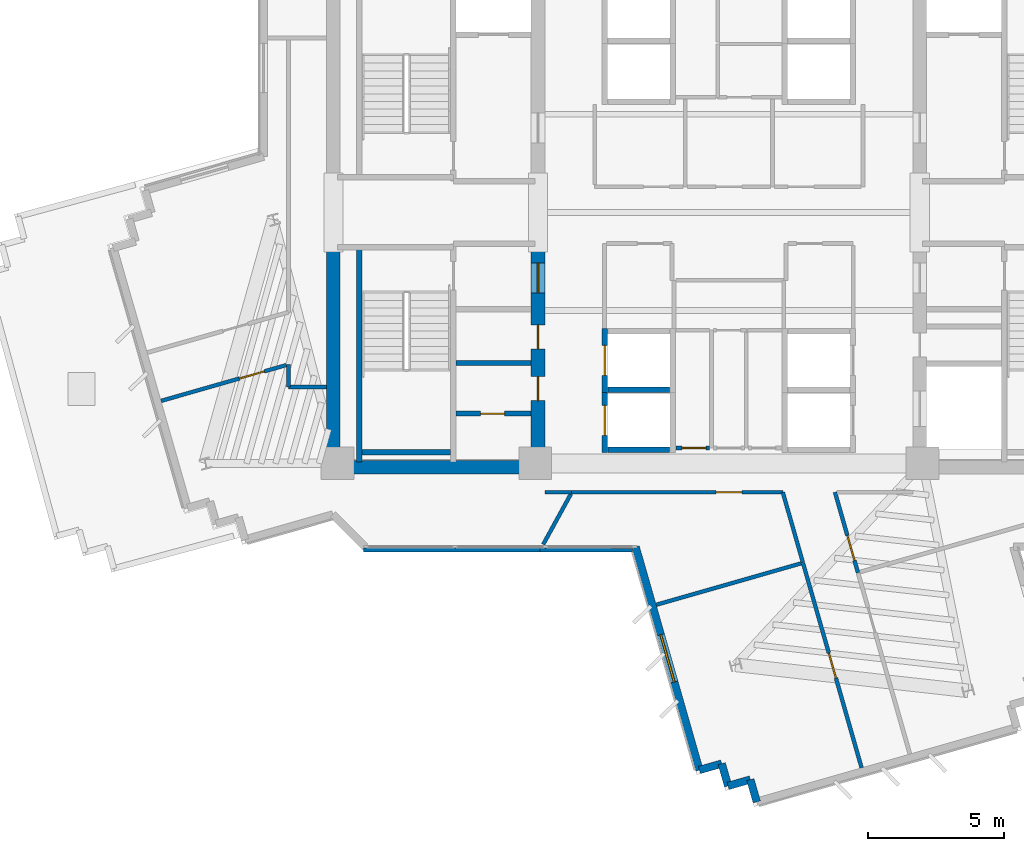
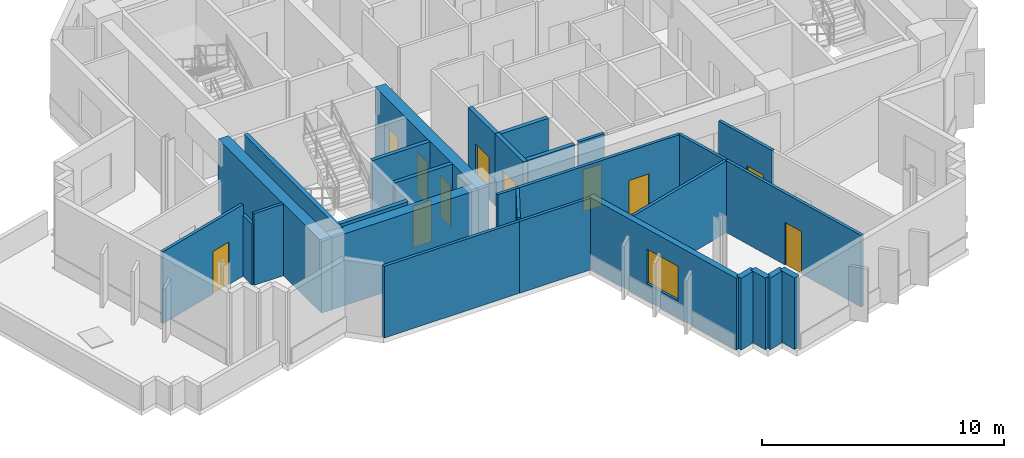
# One storey, part 6 of 14: 29 walls, 11 doors, 1 window, 12 openings.
"""IFC4 building model written with IfcOpenShell, lengths in metres."""

from ifc_helpers import new_model, si_unit, direction, frame, frame_2d, origin, place, context, subcontext, project, spatial, rectangle, extrude, source, transform, mapped, material, layer, layer_set, type_object, element, fill, save


model = new_model("IFC4")

# Units and contexts
model_context = context("Model", 3, precision=1e-05, world=origin(), true_north=direction((0.0, 1.0)))
body_context = subcontext(model_context, "Body", "Model", "MODEL_VIEW")
ifc_project = project(units=[si_unit("LENGTHUNIT", "METRE"), si_unit("AREAUNIT", "SQUARE_METRE"), si_unit("VOLUMEUNIT", "CUBIC_METRE"), si_unit("PLANEANGLEUNIT", "RADIAN"), si_unit("MASSUNIT", "GRAM", prefix="KILO")], contexts=[model_context])

# Site, building, storey
site_placement = place(None, origin())
site = spatial("IfcSite", under=ifc_project, at=site_placement, CompositionType="ELEMENT")
building_placement = place(site_placement, origin())
building = spatial("IfcBuilding", under=site, at=building_placement, Name="Zahravan Cultural Tower", CompositionType="ELEMENT")
storey_placement = place(building_placement, frame((0.0, 0.0, 201.89990234375)))
storey = spatial("IfcBuildingStorey", under=building, at=storey_placement, Name="L47", CompositionType="ELEMENT", Elevation=201.89990234375)

# Wall, openings, doors
ifc_material_1 = material(Name="Concrete C60/75", Category="concrete")
ifc_layer_1 = layer(ifc_material_1, 0.5)
ifc_layer_set_1 = layer_set([ifc_layer_1], Name="Concrete C60/75")
wall_type_1 = type_object("IfcWallType", Name="CW-SHEAR-500-C60", PredefinedType="SHEAR", material=ifc_layer_set_1)
wall_1_placement = place(storey_placement, frame((29.0, 17.39990234375, 0.0), z_axis=(0.0, 0.0, 1.0), x_axis=(0.0, 1.0, 0.0)))
wall_1 = element("IfcWall", 1, at=wall_1_placement, inside=storey, type_object=wall_type_1, Name="L47 Core Shear Wall CW-W-ES-L47", PredefinedType="SHEAR", context=body_context, shape_type="SweptSolid", body=[
    extrude(rectangle(XDim=8.550048828125, YDim=0.5, at=frame_2d((4.27490234375, 0.0))), origin(), (0.0, 0.0, 1.0), 3.6201171875),
])
opening_1_placement = place(wall_1_placement, frame((6.64990234375, 0.0, 0.0)))
opening_1 = element("IfcOpeningElement", 2, at=opening_1_placement, cuts=wall_1, Name="Opening D-L47-07", PredefinedType="OPENING", context=body_context, shape_type="SweptSolid", body=[
    extrude(rectangle(XDim=1.10009765625, YDim=2.199951171875, at=frame_2d((0.550048828125, 1.10009765625))), frame((0.0, 0.260009765625, 0.0), z_axis=(0.0, -1.0, 0.0), x_axis=(1.0, 0.0, 0.0)), (0.0, 0.0, 1.0), 0.52001953125),
])
opening_2_placement = place(wall_1_placement, frame((2.699951171875, 0.0, 0.0)))
opening_2 = element("IfcOpeningElement", 3, at=opening_2_placement, cuts=wall_1, Name="Opening D-L47-10", PredefinedType="OPENING", context=body_context, shape_type="SweptSolid", body=[
    extrude(rectangle(XDim=0.8798828125, YDim=2.10009765625, at=frame_2d((0.43994140625, 1.050048828125))), frame((0.0, 0.260009765625, 0.0), z_axis=(0.0, -1.0, 0.0), x_axis=(1.0, 0.0, 0.0)), (0.0, 0.0, 1.0), 0.52001953125),
])
opening_3_placement = place(wall_1_placement, frame((4.60009765625, 0.0, 0.0)))
opening_3 = element("IfcOpeningElement", 4, at=opening_3_placement, cuts=wall_1, Name="Opening D-L47-11", PredefinedType="OPENING", context=body_context, shape_type="SweptSolid", body=[
    extrude(rectangle(XDim=0.8798828125, YDim=2.10009765625, at=frame_2d((0.43994140625, 1.050048828125))), frame((0.0, 0.260009765625, 0.0), z_axis=(0.0, -1.0, 0.0), x_axis=(1.0, 0.0, 0.0)), (0.0, 0.0, 1.0), 0.52001953125),
])
ifc_material_2 = material(Name="Steel ASTM A572 Grade 50", Category="steel")
door_type_1 = type_object("IfcDoorType", Name="DR-LOBBY-1100", OperationType="NOTDEFINED", PredefinedType="DOOR", material=ifc_material_2)
shared_shape_1 = source(origin(), body_context, "Body", "SweptSolid", [
    extrude(rectangle(XDim=1.10009765625, YDim=2.199951171875, at=frame_2d((0.550048828125, 1.10009765625))), frame((0.0, 0.02490234375, 0.0), z_axis=(0.0, -1.0, 0.0), x_axis=(1.0, 0.0, 0.0)), (0.0, 0.0, 1.0), 0.050048828125),
])
door_1_placement = place(opening_1_placement, origin())
door_1 = element("IfcDoor", 5, at=door_1_placement, inside=storey, type_object=door_type_1, Name="L47 Door D-L47-07", OperationType="SINGLE_SWING_LEFT", OverallHeight=2.199951171875, OverallWidth=1.10009765625, PredefinedType="DOOR", context=body_context, shape_type="MappedRepresentation", body=[
    mapped(shared_shape_1, transform((0.0, 0.0, 0.0), x_axis=(1.0, 0.0, 0.0), y_axis=(0.0, 1.0, 0.0), z_axis=(0.0, 0.0, 1.0), scale=1.0)),
])
fill(opening_1, door_1)
door_type_2 = type_object("IfcDoorType", Name="DR-SVC-880", OperationType="NOTDEFINED", PredefinedType="DOOR", material=ifc_material_2)
shared_shape_2 = source(origin(), body_context, "Body", "SweptSolid", [
    extrude(rectangle(XDim=0.8798828125, YDim=2.10009765625, at=frame_2d((0.43994140625, 1.050048828125))), frame((0.0, 0.02490234375, 0.0), z_axis=(0.0, -1.0, 0.0), x_axis=(1.0, 0.0, 0.0)), (0.0, 0.0, 1.0), 0.050048828125),
])
door_2_placement = place(opening_2_placement, origin())
door_2 = element("IfcDoor", 6, at=door_2_placement, inside=storey, type_object=door_type_2, Name="L47 Door D-L47-10", OperationType="SINGLE_SWING_RIGHT", OverallHeight=2.10009765625, OverallWidth=0.8798828125, PredefinedType="DOOR", context=body_context, shape_type="MappedRepresentation", body=[
    mapped(shared_shape_2, transform((0.0, 0.0, 0.0), x_axis=(1.0, 0.0, 0.0), y_axis=(0.0, 1.0, 0.0), z_axis=(0.0, 0.0, 1.0), scale=1.0)),
])
fill(opening_2, door_2)
door_3_placement = place(opening_3_placement, origin())
door_3 = element("IfcDoor", 7, at=door_3_placement, inside=storey, type_object=door_type_2, Name="L47 Door D-L47-11", OperationType="SINGLE_SWING_LEFT", OverallHeight=2.10009765625, OverallWidth=0.8798828125, PredefinedType="DOOR", context=body_context, shape_type="MappedRepresentation", body=[
    mapped(shared_shape_2, transform((0.0, 0.0, 0.0), x_axis=(1.0, 0.0, 0.0), y_axis=(0.0, 1.0, 0.0), z_axis=(0.0, 0.0, 1.0), scale=1.0)),
])
fill(opening_3, door_3)

# Wall, opening, window
ifc_material_3 = material(Name="Precast concrete C40/50", Category="concrete")
ifc_layer_2 = layer(ifc_material_3, 0.280029296875)
ifc_layer_set_2 = layer_set([ifc_layer_2], Name="Precast concrete C40/50")
wall_type_2 = type_object("IfcWallType", Name="EW-TC-280", PredefinedType="SOLIDWALL", material=ifc_layer_set_2)
wall_2_placement = place(storey_placement, frame((34.920166015625, 6.554931640625, 0.0), z_axis=(0.0, 0.0, 1.0), x_axis=(-0.27496352843, 0.961454657295, 0.0)))
wall_2 = element("IfcWall", 8, at=wall_2_placement, inside=storey, type_object=wall_type_2, Name="L47 Exterior Masonry Frame Wall 25", PredefinedType="SOLIDWALL", context=body_context, shape_type="SweptSolid", body=[
    extrude(rectangle(XDim=8.51318359375, YDim=0.280029296875, at=frame_2d((4.256591796875, 0.0))), origin(), (0.0, 0.0, 1.0), 3.6201171875),
])
opening_4_placement = place(wall_2_placement, frame((3.35693359375, 0.0, 0.85009765625)))
opening_4 = element("IfcOpeningElement", 9, at=opening_4_placement, cuts=wall_2, Name="Opening WN-02", PredefinedType="OPENING", context=body_context, shape_type="SweptSolid", body=[
    extrude(rectangle(XDim=1.800048828125, YDim=1.75, at=frame_2d((0.89990234375, 0.875))), frame((0.0, 0.14990234375, 0.0), z_axis=(0.0, -1.0, 0.0), x_axis=(1.0, 0.0, 0.0)), (0.0, 0.0, 1.0), 0.300048828125),
])
ifc_material_4 = material(Name="Low-E solar-control double glazing", Category="glass")
window_type = type_object("IfcWindowType", Name="WN-REC-1800X1750", PartitioningType="DOUBLE_PANEL_VERTICAL", PredefinedType="WINDOW", material=ifc_material_4)
shared_shape_3 = source(origin(), body_context, "Body", "SweptSolid", [
    extrude(rectangle(XDim=1.800048828125, YDim=1.75, at=frame_2d((0.89990234375, 0.875))), frame((0.0, 0.030029296875, 0.0), z_axis=(0.0, -1.0, 0.0), x_axis=(1.0, 0.0, 0.0)), (0.0, 0.0, 1.0), 0.06005859375),
])
window_placement = place(opening_4_placement, origin())
window = element("IfcWindow", 10, at=window_placement, inside=storey, type_object=window_type, Name="L47 Recessed Solar Window 04", OverallHeight=1.75, OverallWidth=1.800048828125, PartitioningType="DOUBLE_PANEL_VERTICAL", PredefinedType="WINDOW", context=body_context, shape_type="MappedRepresentation", body=[
    mapped(shared_shape_3, transform((0.0, 0.0, 0.0), x_axis=(1.0, 0.0, 0.0), y_axis=(0.0, 1.0, 0.0), z_axis=(0.0, 0.0, 1.0), scale=1.0)),
])
fill(opening_4, window)

# Wall, opening, door
ifc_material_5 = material(Name="Gypsum plasterboard partition")
ifc_layer_3 = layer(ifc_material_5, 0.179931640625)
ifc_layer_set_3 = layer_set([ifc_layer_3], Name="Gypsum plasterboard partition")
wall_type_3 = type_object("IfcWallType", Name="W-COMP-180", PredefinedType="PARTITIONING", material=ifc_layer_set_3)
wall_3_placement = place(storey_placement, frame((26.0, 19.6201171875, 0.0), z_axis=(0.0, 0.0, 1.0), x_axis=(1.0, 0.0, 0.0)))
wall_3 = element("IfcWall", 11, at=wall_3_placement, inside=storey, type_object=wall_type_3, Name="L47 Interior Wall 026", PredefinedType="PARTITIONING", context=body_context, shape_type="SweptSolid", body=[
    extrude(rectangle(XDim=2.75, YDim=0.179931640625, at=frame_2d((1.375, 0.0))), origin(), (0.0, 0.0, 1.0), 3.6201171875),
])
opening_5_placement = place(wall_3_placement, frame((0.89990234375, 0.0, 0.0)))
opening_5 = element("IfcOpeningElement", 12, at=opening_5_placement, cuts=wall_3, Name="Opening D-L47-09", PredefinedType="OPENING", context=body_context, shape_type="SweptSolid", body=[
    extrude(rectangle(XDim=0.8798828125, YDim=2.10009765625, at=frame_2d((0.43994140625, 1.050048828125))), frame((0.0, 0.099853515625, 0.0), z_axis=(0.0, -1.0, 0.0), x_axis=(1.0, 0.0, 0.0)), (0.0, 0.0, 1.0), 0.199951171875),
])
door_4_placement = place(opening_5_placement, origin())
door_4 = element("IfcDoor", 13, at=door_4_placement, inside=storey, type_object=door_type_2, Name="L47 Door D-L47-09", OperationType="SINGLE_SWING_LEFT", OverallHeight=2.10009765625, OverallWidth=0.8798828125, PredefinedType="DOOR", context=body_context, shape_type="MappedRepresentation", body=[
    mapped(shared_shape_2, transform((0.0, 0.0, 0.0), x_axis=(1.0, 0.0, 0.0), y_axis=(0.0, 1.0, 0.0), z_axis=(0.0, 0.0, 1.0), scale=1.0)),
])
fill(opening_5, door_4)

ifc_layer_4 = layer(ifc_material_5, 0.139892578125)
ifc_layer_set_4 = layer_set([ifc_layer_4], Name="Gypsum plasterboard partition")
wall_type_4 = type_object("IfcWallType", Name="W-PART-140", PredefinedType="PARTITIONING", material=ifc_layer_set_4)
wall_4_placement = place(storey_placement, frame((35.284912109375, 18.360107421875, 0.0), z_axis=(0.0, 0.0, 1.0), x_axis=(-1.0, 0.0, 0.0)))
wall_4 = element("IfcWall", 14, at=wall_4_placement, inside=storey, type_object=wall_type_4, Name="L47 Interior Wall 067", PredefinedType="PARTITIONING", context=body_context, shape_type="SweptSolid", body=[
    extrude(rectangle(XDim=1.22998046875, YDim=0.139892578125, at=frame_2d((0.614990234375, 0.0))), origin(), (0.0, 0.0, 1.0), 3.6201171875),
])
opening_6_placement = place(wall_4_placement, frame((0.12255859375, 0.0, 0.0)))
opening_6 = element("IfcOpeningElement", 15, at=opening_6_placement, cuts=wall_4, Name="Opening D-L47-20", PredefinedType="OPENING", context=body_context, shape_type="SweptSolid", body=[
    extrude(rectangle(XDim=0.8798828125, YDim=2.10009765625, at=frame_2d((0.43994140625, 1.050048828125))), frame((0.0, 0.079833984375, 0.0), z_axis=(0.0, -1.0, 0.0), x_axis=(1.0, 0.0, 0.0)), (0.0, 0.0, 1.0), 0.159912109375),
])
ifc_material_6 = material(Name="Anodised bronze-aluminium mullion", Category="aluminium")
door_type_3 = type_object("IfcDoorType", Name="DR-ROOM-880", OperationType="NOTDEFINED", PredefinedType="DOOR", material=ifc_material_6)
door_5_placement = place(opening_6_placement, origin())
door_5 = element("IfcDoor", 16, at=door_5_placement, inside=storey, type_object=door_type_3, Name="L47 Door D-L47-20", OperationType="SINGLE_SWING_RIGHT", OverallHeight=2.10009765625, OverallWidth=0.8798828125, PredefinedType="DOOR", context=body_context, shape_type="MappedRepresentation", body=[
    mapped(shared_shape_2, transform((0.0, 0.0, 0.0), x_axis=(1.0, 0.0, 0.0), y_axis=(0.0, 1.0, 0.0), z_axis=(0.0, 0.0, 1.0), scale=1.0)),
])
fill(opening_6, door_5)

wall_5_placement = place(storey_placement, frame((40.734130859375, 13.79248046875, 0.0), z_axis=(0.0, 0.0, 1.0), x_axis=(-0.274984067599, 0.961448783122, 0.0)))
wall_5 = element("IfcWall", 17, at=wall_5_placement, inside=storey, type_object=wall_type_4, Name="L47 Interior Wall 088", PredefinedType="PARTITIONING", context=body_context, shape_type="SweptSolid", body=[
    extrude(rectangle(XDim=3.065673828125, YDim=0.139892578125, at=frame_2d((1.53271484375, 0.0))), origin(), (0.0, 0.0, 1.0), 3.6201171875),
])
opening_7_placement = place(wall_5_placement, frame((0.46533203125, 0.0, 0.0)))
opening_7 = element("IfcOpeningElement", 18, at=opening_7_placement, cuts=wall_5, Name="Opening D-L47-32", PredefinedType="OPENING", context=body_context, shape_type="SweptSolid", body=[
    extrude(rectangle(XDim=0.949951171875, YDim=2.14990234375, at=frame_2d((0.47509765625, 1.074951171875))), frame((0.0, 0.079833984375, 0.0), z_axis=(0.0, -1.0, 0.0), x_axis=(1.0, 0.0, 0.0)), (0.0, 0.0, 1.0), 0.159912109375),
])
door_type_4 = type_object("IfcDoorType", Name="DR-ROOM-950", OperationType="NOTDEFINED", PredefinedType="DOOR", material=ifc_material_6)
shared_shape_4 = source(origin(), body_context, "Body", "SweptSolid", [
    extrude(rectangle(XDim=0.949951171875, YDim=2.14990234375, at=frame_2d((0.47509765625, 1.074951171875))), frame((0.0, 0.02490234375, 0.0), z_axis=(0.0, -1.0, 0.0), x_axis=(1.0, 0.0, 0.0)), (0.0, 0.0, 1.0), 0.050048828125),
])
door_6_placement = place(opening_7_placement, origin())
door_6 = element("IfcDoor", 19, at=door_6_placement, inside=storey, type_object=door_type_4, Name="L47 Door D-L47-32", OperationType="SINGLE_SWING_RIGHT", OverallHeight=2.14990234375, OverallWidth=0.949951171875, PredefinedType="DOOR", context=body_context, shape_type="MappedRepresentation", body=[
    mapped(shared_shape_4, transform((0.0, 0.0, 0.0), x_axis=(1.0, 0.0, 0.0), y_axis=(0.0, 1.0, 0.0), z_axis=(0.0, 0.0, 1.0), scale=1.0)),
])
fill(opening_7, door_6)

wall_6_placement = place(storey_placement, frame((30.224609375, 16.739990234375, 0.0), z_axis=(0.0, 0.0, 1.0), x_axis=(1.0, 0.0, 0.0)))
wall_6 = element("IfcWall", 20, at=wall_6_placement, inside=storey, type_object=wall_type_4, Name="L47 Interior Wall 096", PredefinedType="PARTITIONING", context=body_context, shape_type="SweptSolid", body=[
    extrude(rectangle(XDim=7.752685546875, YDim=0.139892578125, at=frame_2d((3.87646484375, 0.0))), origin(), (0.0, 0.0, 1.0), 3.6201171875),
])
opening_8_placement = place(wall_6_placement, frame((5.30615234375, 0.0, 0.0)))
opening_8 = element("IfcOpeningElement", 21, at=opening_8_placement, cuts=wall_6, Name="Opening D-L47-30", PredefinedType="OPENING", context=body_context, shape_type="SweptSolid", body=[
    extrude(rectangle(XDim=0.949951171875, YDim=2.14990234375, at=frame_2d((0.47509765625, 1.074951171875))), frame((0.0, 0.079833984375, 0.0), z_axis=(0.0, -1.0, 0.0), x_axis=(1.0, 0.0, 0.0)), (0.0, 0.0, 1.0), 0.159912109375),
])
door_7_placement = place(opening_8_placement, origin())
door_7 = element("IfcDoor", 22, at=door_7_placement, inside=storey, type_object=door_type_4, Name="L47 Door D-L47-30", OperationType="SINGLE_SWING_RIGHT", OverallHeight=2.14990234375, OverallWidth=0.949951171875, PredefinedType="DOOR", context=body_context, shape_type="MappedRepresentation", body=[
    mapped(shared_shape_4, transform((0.0, 0.0, 0.0), x_axis=(1.0, 0.0, 0.0), y_axis=(0.0, 1.0, 0.0), z_axis=(0.0, 0.0, 1.0), scale=1.0)),
])
fill(opening_8, door_7)

wall_7_placement = place(storey_placement, frame((38.722900390625, 14.1328125, 0.0), z_axis=(0.0, 0.0, 1.0), x_axis=(0.274985856522, -0.96144827147, 0.0)))
wall_7 = element("IfcWall", 23, at=wall_7_placement, inside=storey, type_object=wall_type_4, Name="L47 Interior Wall 103", PredefinedType="PARTITIONING", context=body_context, shape_type="SweptSolid", body=[
    extrude(rectangle(XDim=7.795166015625, YDim=0.139892578125, at=frame_2d((3.8974609375, 0.0))), origin(), (0.0, 0.0, 1.0), 3.6201171875),
])
opening_9_placement = place(wall_7_placement, frame((3.422607421875, 0.0, 0.0)))
opening_9 = element("IfcOpeningElement", 24, at=opening_9_placement, cuts=wall_7, Name="Opening D-L47-31", PredefinedType="OPENING", context=body_context, shape_type="SweptSolid", body=[
    extrude(rectangle(XDim=0.949951171875, YDim=2.14990234375, at=frame_2d((0.47509765625, 1.074951171875))), frame((0.0, 0.079833984375, 0.0), z_axis=(0.0, -1.0, 0.0), x_axis=(1.0, 0.0, 0.0)), (0.0, 0.0, 1.0), 0.159912109375),
])
door_8_placement = place(opening_9_placement, origin())
door_8 = element("IfcDoor", 25, at=door_8_placement, inside=storey, type_object=door_type_4, Name="L47 Door D-L47-31", OperationType="SINGLE_SWING_LEFT", OverallHeight=2.14990234375, OverallWidth=0.949951171875, PredefinedType="DOOR", context=body_context, shape_type="MappedRepresentation", body=[
    mapped(shared_shape_4, transform((0.0, 0.0, 0.0), x_axis=(1.0, 0.0, 0.0), y_axis=(0.0, 1.0, 0.0), z_axis=(0.0, 0.0, 1.0), scale=1.0)),
])
fill(opening_9, door_8)

wall_8_placement = place(storey_placement, frame((15.1826171875, 20.089599609375, 0.0), z_axis=(0.0, 0.0, 1.0), x_axis=(0.961460270043, 0.274943901784, 0.0)))
wall_8 = element("IfcWall", 26, at=wall_8_placement, inside=storey, type_object=wall_type_4, Name="L47 Interior Wall 119", PredefinedType="PARTITIONING", context=body_context, shape_type="SweptSolid", body=[
    extrude(rectangle(XDim=4.7763671875, YDim=0.139892578125, at=frame_2d((2.38818359375, 0.0))), origin(), (0.0, 0.0, 1.0), 3.6201171875),
])
opening_10_placement = place(wall_8_placement, frame((2.984619140625, 0.0, 0.0)))
opening_10 = element("IfcOpeningElement", 27, at=opening_10_placement, cuts=wall_8, Name="Opening D-L47-29", PredefinedType="OPENING", context=body_context, shape_type="SweptSolid", body=[
    extrude(rectangle(XDim=0.949951171875, YDim=2.14990234375, at=frame_2d((0.47509765625, 1.074951171875))), frame((0.0, 0.079833984375, 0.0), z_axis=(0.0, -1.0, 0.0), x_axis=(1.0, 0.0, 0.0)), (0.0, 0.0, 1.0), 0.159912109375),
])
door_9_placement = place(opening_10_placement, origin())
door_9 = element("IfcDoor", 28, at=door_9_placement, inside=storey, type_object=door_type_4, Name="L47 Door D-L47-29", OperationType="SINGLE_SWING_LEFT", OverallHeight=2.14990234375, OverallWidth=0.949951171875, PredefinedType="DOOR", context=body_context, shape_type="MappedRepresentation", body=[
    mapped(shared_shape_4, transform((0.0, 0.0, 0.0), x_axis=(1.0, 0.0, 0.0), y_axis=(0.0, 1.0, 0.0), z_axis=(0.0, 0.0, 1.0), scale=1.0)),
])
fill(opening_10, door_9)

ifc_material_7 = material(Name="Concrete C45/55", Category="concrete")
ifc_layer_5 = layer(ifc_material_7, 0.199951171875)
ifc_layer_set_5 = layer_set([ifc_layer_5], Name="Concrete C45/55")
wall_type_5 = type_object("IfcWallType", Name="W-SHAFT-200", PredefinedType="SOLIDWALL", material=ifc_layer_set_5)
wall_9_placement = place(storey_placement, frame((31.449951171875, 20.39990234375, 0.0), z_axis=(0.0, 0.0, 1.0), x_axis=(0.0, 1.0, 0.0)))
wall_9 = element("IfcWall", 29, at=wall_9_placement, inside=storey, type_object=wall_type_5, Name="L47 Interior Wall 043", PredefinedType="SOLIDWALL", context=body_context, shape_type="SweptSolid", body=[
    extrude(rectangle(XDim=2.35009765625, YDim=0.199951171875, at=frame_2d((1.175048828125, 0.0))), origin(), (0.0, 0.0, 1.0), 3.6201171875),
])
opening_11_placement = place(wall_9_placement, frame((0.625, 0.0, 0.0)))
opening_11 = element("IfcOpeningElement", 30, at=opening_11_placement, cuts=wall_9, Name="Opening LD-L47-04", PredefinedType="OPENING", context=body_context, shape_type="SweptSolid", body=[
    extrude(rectangle(XDim=1.10009765625, YDim=2.14990234375, at=frame_2d((0.550048828125, 1.074951171875))), frame((0.0, 0.10986328125, 0.0), z_axis=(0.0, -1.0, 0.0), x_axis=(1.0, 0.0, 0.0)), (0.0, 0.0, 1.0), 0.219970703125),
])
door_type_5 = type_object("IfcDoorType", Name="DR-LIFT-1100", OperationType="DOUBLE_DOOR_SLIDING", PredefinedType="DOOR", material=ifc_material_2)
shared_shape_5 = source(origin(), body_context, "Body", "SweptSolid", [
    extrude(rectangle(XDim=1.10009765625, YDim=2.14990234375, at=frame_2d((0.550048828125, 1.074951171875))), frame((0.0, 0.02490234375, 0.0), z_axis=(0.0, -1.0, 0.0), x_axis=(1.0, 0.0, 0.0)), (0.0, 0.0, 1.0), 0.050048828125),
])
door_10_placement = place(opening_11_placement, origin())
door_10 = element("IfcDoor", 31, at=door_10_placement, inside=storey, type_object=door_type_5, Name="L47 Door LD-L47-04", OperationType="DOUBLE_DOOR_SLIDING", OverallHeight=2.14990234375, OverallWidth=1.10009765625, PredefinedType="DOOR", context=body_context, shape_type="MappedRepresentation", body=[
    mapped(shared_shape_5, transform((0.0, 0.0, 0.0), x_axis=(1.0, 0.0, 0.0), y_axis=(0.0, 1.0, 0.0), z_axis=(0.0, 0.0, 1.0), scale=1.0)),
])
fill(opening_11, door_10)

wall_10_placement = place(storey_placement, frame((31.449951171875, 18.199951171875, 0.0), z_axis=(0.0, 0.0, 1.0), x_axis=(0.0, 1.0, 0.0)))
wall_10 = element("IfcWall", 32, at=wall_10_placement, inside=storey, type_object=wall_type_5, Name="L47 Interior Wall 047", PredefinedType="SOLIDWALL", context=body_context, shape_type="SweptSolid", body=[
    extrude(rectangle(XDim=2.35009765625, YDim=0.199951171875, at=frame_2d((1.175048828125, 0.0))), origin(), (0.0, 0.0, 1.0), 3.6201171875),
])
opening_12_placement = place(wall_10_placement, frame((0.625, 0.0, 0.0)))
opening_12 = element("IfcOpeningElement", 33, at=opening_12_placement, cuts=wall_10, Name="Opening LD-L47-05", PredefinedType="OPENING", context=body_context, shape_type="SweptSolid", body=[
    extrude(rectangle(XDim=1.10009765625, YDim=2.14990234375, at=frame_2d((0.550048828125, 1.074951171875))), frame((0.0, 0.10986328125, 0.0), z_axis=(0.0, -1.0, 0.0), x_axis=(1.0, 0.0, 0.0)), (0.0, 0.0, 1.0), 0.219970703125),
])
door_11_placement = place(opening_12_placement, origin())
door_11 = element("IfcDoor", 34, at=door_11_placement, inside=storey, type_object=door_type_5, Name="L47 Door LD-L47-05", OperationType="DOUBLE_DOOR_SLIDING", OverallHeight=2.14990234375, OverallWidth=1.10009765625, PredefinedType="DOOR", context=body_context, shape_type="MappedRepresentation", body=[
    mapped(shared_shape_5, transform((0.0, 0.0, 0.0), x_axis=(1.0, 0.0, 0.0), y_axis=(0.0, 1.0, 0.0), z_axis=(0.0, 0.0, 1.0), scale=1.0)),
])
fill(opening_12, door_11)

# Walls
shared_shape_6 = source(origin(), body_context, "Body", "SweptSolid", [
    extrude(rectangle(XDim=8.550048828125, YDim=0.5, at=frame_2d((4.27490234375, 0.0))), origin(), (0.0, 0.0, 1.0), 3.6201171875),
])
wall_11_placement = place(storey_placement, frame((21.5, 17.39990234375, 0.0), z_axis=(0.0, 0.0, 1.0), x_axis=(0.0, 1.0, 0.0)))
element("IfcWall", 35, at=wall_11_placement, inside=storey, type_object=wall_type_1, Name="L47 Core Shear Wall CW-W-WS-L47", PredefinedType="SHEAR", context=body_context, shape_type="MappedRepresentation", body=[
    mapped(shared_shape_6, transform((0.0, 0.0, 0.0), x_axis=(1.0, 0.0, 0.0), y_axis=(0.0, 1.0, 0.0), z_axis=(0.0, 0.0, 1.0), scale=1.0)),
])
shared_shape_7 = source(origin(), body_context, "Body", "SweptSolid", [
    extrude(rectangle(XDim=7.0, YDim=0.5, at=frame_2d((3.5, 0.0))), origin(), (0.0, 0.0, 1.0), 3.6201171875),
])
wall_12_placement = place(storey_placement, frame((21.75, 17.64990234375, 0.0), z_axis=(0.0, 0.0, 1.0), x_axis=(1.0, 0.0, 0.0)))
element("IfcWall", 36, at=wall_12_placement, inside=storey, type_object=wall_type_1, Name="L47 Core Shear Wall CW-W-S-L47", PredefinedType="SHEAR", context=body_context, shape_type="MappedRepresentation", body=[
    mapped(shared_shape_7, transform((0.0, 0.0, 0.0), x_axis=(1.0, 0.0, 0.0), y_axis=(0.0, 1.0, 0.0), z_axis=(0.0, 0.0, 1.0), scale=1.0)),
])
shared_shape_8 = source(origin(), body_context, "Body", "SweptSolid", [
    extrude(rectangle(XDim=0.85009765625, YDim=0.280029296875, at=frame_2d((0.425048828125, 0.0))), origin(), (0.0, 0.0, 1.0), 3.6201171875),
])
wall_13_placement = place(storey_placement, frame((35.970947265625, 5.971435546875, 0.0), z_axis=(0.0, 0.0, 1.0), x_axis=(-0.274834915789, 0.961491429532, 0.0)))
element("IfcWall", 37, at=wall_13_placement, inside=storey, type_object=wall_type_2, Name="L47 Exterior Masonry Frame Wall 23", PredefinedType="SOLIDWALL", context=body_context, shape_type="MappedRepresentation", body=[
    mapped(shared_shape_8, transform((0.0, 0.0, 0.0), x_axis=(1.0, 0.0, 0.0), y_axis=(0.0, 1.0, 0.0), z_axis=(0.0, 0.0, 1.0), scale=1.0)),
])
shared_shape_9 = source(origin(), body_context, "Body", "SweptSolid", [
    extrude(rectangle(XDim=0.849853515625, YDim=0.280029296875, at=frame_2d((0.4248046875, 0.0))), origin(), (0.0, 0.0, 1.0), 3.6201171875),
])
for number, where, z_axis, x_axis, name in (
    (38, (37.02197265625, 5.387939453125, 0.0), (0.0, 0.0, 1.0), (-0.275176346112, 0.961393768724, 0.0), "L47 Exterior Masonry Frame Wall 21"),
    (39, (36.7880859375, 6.205078125, 0.0), (0.0, 0.0, 1.0), (-0.961469728335, -0.274910824624, 0.0), "L47 Exterior Masonry Frame Wall 22"),
    (40, (35.7373046875, 6.788818359375, 0.0), (0.0, 0.0, 1.0), (-0.961393768724, -0.275176346112, 0.0), "L47 Exterior Masonry Frame Wall 24"),
):
    element("IfcWall", number, at=place(storey_placement, frame(where, z_axis=z_axis, x_axis=x_axis)), inside=storey, type_object=wall_type_2, Name=name, PredefinedType="SOLIDWALL", context=body_context, shape_type="MappedRepresentation", body=[
        mapped(shared_shape_9, transform((0.0, 0.0, 0.0), x_axis=(1.0, 0.0, 0.0), y_axis=(0.0, 1.0, 0.0), z_axis=(0.0, 0.0, 1.0), scale=1.0)),
    ])
shared_shape_10 = source(origin(), body_context, "Body", "SweptSolid", [
    extrude(rectangle(XDim=7.869873046875, YDim=0.199951171875, at=frame_2d((3.93505859375, 0.0))), origin(), (0.0, 0.0, 1.0), 3.6201171875),
])
wall_14_placement = place(storey_placement, frame((22.449951171875, 17.85009765625, 0.0), z_axis=(0.0, 0.0, 1.0), x_axis=(0.0, 1.0, 0.0)))
element("IfcWall", 41, at=wall_14_placement, inside=storey, type_object=wall_type_5, Name="L47 Interior Wall 001", PredefinedType="SOLIDWALL", context=body_context, shape_type="MappedRepresentation", body=[
    mapped(shared_shape_10, transform((0.0, 0.0, 0.0), x_axis=(1.0, 0.0, 0.0), y_axis=(0.0, 1.0, 0.0), z_axis=(0.0, 0.0, 1.0), scale=1.0)),
])
shared_shape_11 = source(origin(), body_context, "Body", "SweptSolid", [
    extrude(rectangle(XDim=3.25, YDim=0.199951171875, at=frame_2d((1.625, 0.0))), origin(), (0.0, 0.0, 1.0), 3.6201171875),
])
wall_15_placement = place(storey_placement, frame((22.550048828125, 18.199951171875, 0.0), z_axis=(0.0, 0.0, 1.0), x_axis=(1.0, 0.0, 0.0)))
element("IfcWall", 42, at=wall_15_placement, inside=storey, type_object=wall_type_5, Name="L47 Interior Wall 019", PredefinedType="SOLIDWALL", context=body_context, shape_type="MappedRepresentation", body=[
    mapped(shared_shape_11, transform((0.0, 0.0, 0.0), x_axis=(1.0, 0.0, 0.0), y_axis=(0.0, 1.0, 0.0), z_axis=(0.0, 0.0, 1.0), scale=1.0)),
])
shared_shape_12 = source(origin(), body_context, "Body", "SweptSolid", [
    extrude(rectangle(XDim=2.75, YDim=0.179931640625, at=frame_2d((1.375, 0.0))), origin(), (0.0, 0.0, 1.0), 3.6201171875),
])
wall_16_placement = place(storey_placement, frame((26.0, 21.47998046875, 0.0), z_axis=(0.0, 0.0, 1.0), x_axis=(1.0, 0.0, 0.0)))
element("IfcWall", 43, at=wall_16_placement, inside=storey, type_object=wall_type_3, Name="L47 Interior Wall 027", PredefinedType="PARTITIONING", context=body_context, shape_type="MappedRepresentation", body=[
    mapped(shared_shape_12, transform((0.0, 0.0, 0.0), x_axis=(1.0, 0.0, 0.0), y_axis=(0.0, 1.0, 0.0), z_axis=(0.0, 0.0, 1.0), scale=1.0)),
])
shared_shape_13 = source(origin(), body_context, "Body", "SweptSolid", [
    extrude(rectangle(XDim=2.260009765625, YDim=0.199951171875, at=frame_2d((1.1298828125, 0.0))), origin(), (0.0, 0.0, 1.0), 3.6201171875),
])
for number, where, z_axis, x_axis, name in (
    (44, (31.570068359375, 20.5, 0.0), (0.0, 0.0, 1.0), (1.0, 0.0, 0.0), "L47 Interior Wall 045"),
    (45, (31.570068359375, 18.300048828125, 0.0), (0.0, 0.0, 1.0), (1.0, 0.0, 0.0), "L47 Interior Wall 049"),
):
    element("IfcWall", number, at=place(storey_placement, frame(where, z_axis=z_axis, x_axis=x_axis)), inside=storey, type_object=wall_type_5, Name=name, PredefinedType="SOLIDWALL", context=body_context, shape_type="MappedRepresentation", body=[
        mapped(shared_shape_13, transform((0.0, 0.0, 0.0), x_axis=(1.0, 0.0, 0.0), y_axis=(0.0, 1.0, 0.0), z_axis=(0.0, 0.0, 1.0), scale=1.0)),
    ])
shared_shape_14 = source(origin(), body_context, "Body", "SweptSolid", [
    extrude(rectangle(XDim=1.39404296875, YDim=0.139892578125, at=frame_2d((0.697021484375, 0.0))), origin(), (0.0, 0.0, 1.0), 3.6201171875),
])
wall_17_placement = place(storey_placement, frame((19.85107421875, 20.60107421875, 0.0), z_axis=(0.0, 0.0, 1.0), x_axis=(0.999999754632, -0.000700525222, 0.0)))
element("IfcWall", 46, at=wall_17_placement, inside=storey, type_object=wall_type_4, Name="L47 Interior Wall 116", PredefinedType="PARTITIONING", context=body_context, shape_type="MappedRepresentation", body=[
    mapped(shared_shape_14, transform((0.0, 0.0, 0.0), x_axis=(1.0, 0.0, 0.0), y_axis=(0.0, 1.0, 0.0), z_axis=(0.0, 0.0, 1.0), scale=1.0)),
])
shared_shape_15 = source(origin(), body_context, "Body", "SweptSolid", [
    extrude(rectangle(XDim=2.691650390625, YDim=0.139892578125, at=frame_2d((1.345703125, 0.0))), origin(), (0.0, 0.0, 1.0), 3.6201171875),
])
wall_18_placement = place(storey_placement, frame((37.977294921875, 16.739990234375, 0.0), z_axis=(0.0, 0.0, 1.0), x_axis=(0.27500862401, -0.961441759401, 0.0)))
element("IfcWall", 47, at=wall_18_placement, inside=storey, type_object=wall_type_4, Name="L47 Interior Wall 097", PredefinedType="PARTITIONING", context=body_context, shape_type="MappedRepresentation", body=[
    mapped(shared_shape_15, transform((0.0, 0.0, 0.0), x_axis=(1.0, 0.0, 0.0), y_axis=(0.0, 1.0, 0.0), z_axis=(0.0, 0.0, 1.0), scale=1.0)),
])
shared_shape_16 = source(origin(), body_context, "Body", "SweptSolid", [
    extrude(rectangle(XDim=5.520263671875, YDim=0.139892578125, at=frame_2d((2.76025390625, 0.0))), origin(), (0.0, 0.0, 1.0), 3.6201171875),
])
wall_19_placement = place(storey_placement, frame((38.6455078125, 14.13134765625, 0.0), z_axis=(0.0, 0.0, 1.0), x_axis=(-0.961455490798, -0.274960613933, 0.0)))
element("IfcWall", 48, at=wall_19_placement, inside=storey, type_object=wall_type_4, Name="L47 Interior Wall 098", PredefinedType="PARTITIONING", context=body_context, shape_type="MappedRepresentation", body=[
    mapped(shared_shape_16, transform((0.0, 0.0, 0.0), x_axis=(1.0, 0.0, 0.0), y_axis=(0.0, 1.0, 0.0), z_axis=(0.0, 0.0, 1.0), scale=1.0)),
])
shared_shape_17 = source(origin(), body_context, "Body", "SweptSolid", [
    extrude(rectangle(XDim=3.385498046875, YDim=0.139892578125, at=frame_2d((1.69287109375, 0.0))), origin(), (0.0, 0.0, 1.0), 3.6201171875),
])
wall_20_placement = place(storey_placement, frame((32.464111328125, 14.615478515625, 0.0), z_axis=(0.0, 0.0, 1.0), x_axis=(-0.999999061333, 0.001370158085, 0.0)))
element("IfcWall", 49, at=wall_20_placement, inside=storey, type_object=wall_type_4, Name="L47 Interior Wall 099", PredefinedType="PARTITIONING", context=body_context, shape_type="MappedRepresentation", body=[
    mapped(shared_shape_17, transform((0.0, 0.0, 0.0), x_axis=(1.0, 0.0, 0.0), y_axis=(0.0, 1.0, 0.0), z_axis=(0.0, 0.0, 1.0), scale=1.0)),
])
shared_shape_18 = source(origin(), body_context, "Body", "SweptSolid", [
    extrude(rectangle(XDim=2.111083984375, YDim=0.139892578125, at=frame_2d((1.0556640625, 0.0))), origin(), (0.0, 0.0, 1.0), 3.6201171875),
])
wall_21_placement = place(storey_placement, frame((29.192626953125, 14.827392578125, 0.0), z_axis=(0.0, 0.0, 1.0), x_axis=(0.481297142313, 0.876557505702, 0.0)))
element("IfcWall", 50, at=wall_21_placement, inside=storey, type_object=wall_type_4, Name="L47 Interior Wall 100", PredefinedType="PARTITIONING", context=body_context, shape_type="MappedRepresentation", body=[
    mapped(shared_shape_18, transform((0.0, 0.0, 0.0), x_axis=(1.0, 0.0, 0.0), y_axis=(0.0, 1.0, 0.0), z_axis=(0.0, 0.0, 1.0), scale=1.0)),
])
shared_shape_19 = source(origin(), body_context, "Body", "SweptSolid", [
    extrude(rectangle(XDim=0.8232421875, YDim=0.139892578125, at=frame_2d((0.41162109375, 0.0))), origin(), (0.0, 0.0, 1.0), 3.0791015625),
])
wall_22_placement = place(storey_placement, frame((19.85009765625, 21.42431640625, 0.0), z_axis=(0.0, 0.0, 1.0), x_axis=(0.001186238786, -0.999999296419, 0.0)))
element("IfcWall", 51, at=wall_22_placement, inside=storey, type_object=wall_type_4, Name="L47 Interior Wall 115", PredefinedType="PARTITIONING", context=body_context, shape_type="MappedRepresentation", body=[
    mapped(shared_shape_19, transform((0.0, 0.0, 0.0), x_axis=(1.0, 0.0, 0.0), y_axis=(0.0, 1.0, 0.0), z_axis=(0.0, 0.0, 1.0), scale=1.0)),
])
shared_shape_20 = source(origin(), body_context, "Body", "SweptSolid", [
    extrude(rectangle(XDim=0.97119140625, YDim=0.139892578125, at=frame_2d((0.485595703125, 0.0))), origin(), (0.0, 0.0, 1.0), 3.6201171875),
])
wall_23_placement = place(storey_placement, frame((29.25341796875, 16.740478515625, 0.0), z_axis=(0.0, 0.0, 1.0), x_axis=(0.999999873614, -0.000502765145, 0.0)))
element("IfcWall", 52, at=wall_23_placement, inside=storey, type_object=wall_type_4, Name="L47 Interior Wall 117", PredefinedType="PARTITIONING", context=body_context, shape_type="MappedRepresentation", body=[
    mapped(shared_shape_20, transform((0.0, 0.0, 0.0), x_axis=(1.0, 0.0, 0.0), y_axis=(0.0, 1.0, 0.0), z_axis=(0.0, 0.0, 1.0), scale=1.0)),
])
shared_shape_21 = source(origin(), body_context, "Body", "SweptSolid", [
    extrude(rectangle(XDim=6.470458984375, YDim=0.139892578125, at=frame_2d((3.2353515625, 0.0))), origin(), (0.0, 0.0, 1.0), 3.6201171875),
])
wall_24_placement = place(storey_placement, frame((29.07861328125, 14.6201171875, 0.0), z_axis=(0.0, 0.0, 1.0), x_axis=(-1.0, 0.0, 0.0)))
element("IfcWall", 53, at=wall_24_placement, inside=storey, type_object=wall_type_4, Name="L47 Interior Wall 118", PredefinedType="PARTITIONING", context=body_context, shape_type="MappedRepresentation", body=[
    mapped(shared_shape_21, transform((0.0, 0.0, 0.0), x_axis=(1.0, 0.0, 0.0), y_axis=(0.0, 1.0, 0.0), z_axis=(0.0, 0.0, 1.0), scale=1.0)),
])

save(model, "model.ifc")
